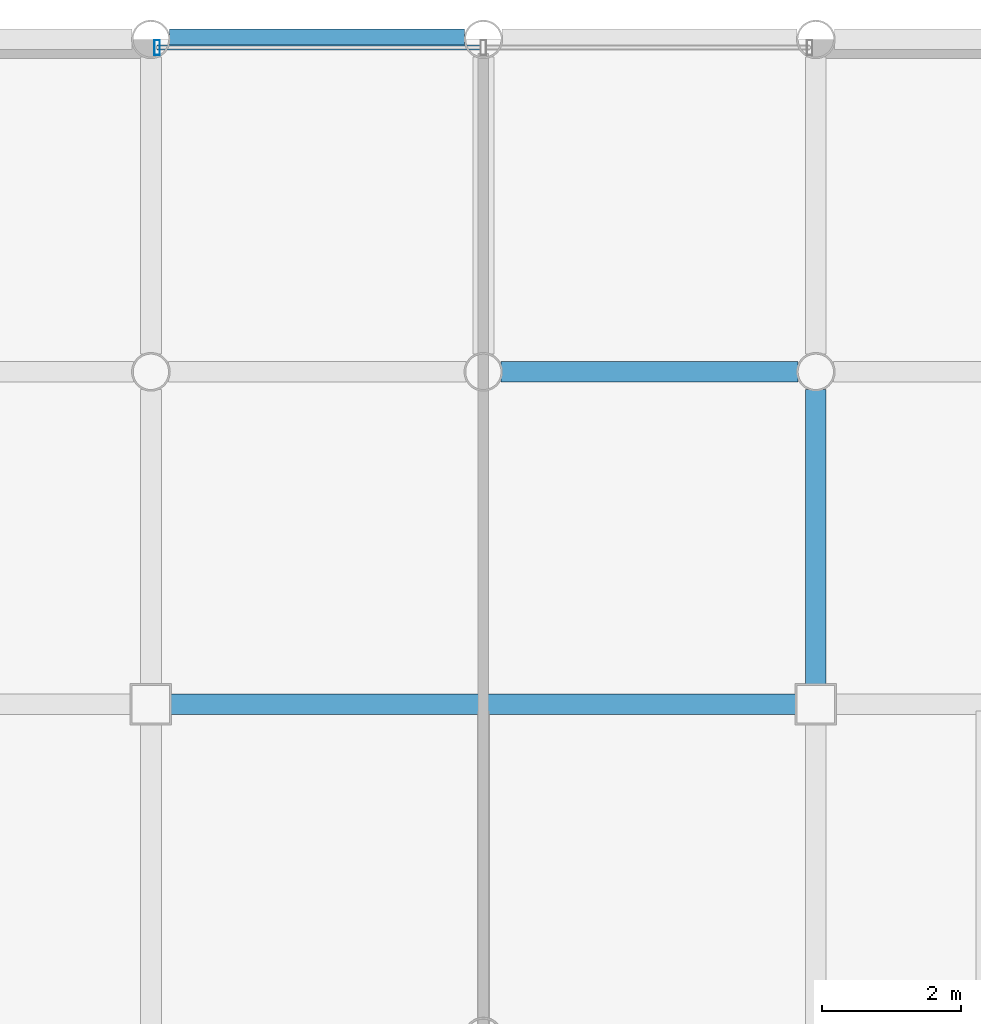
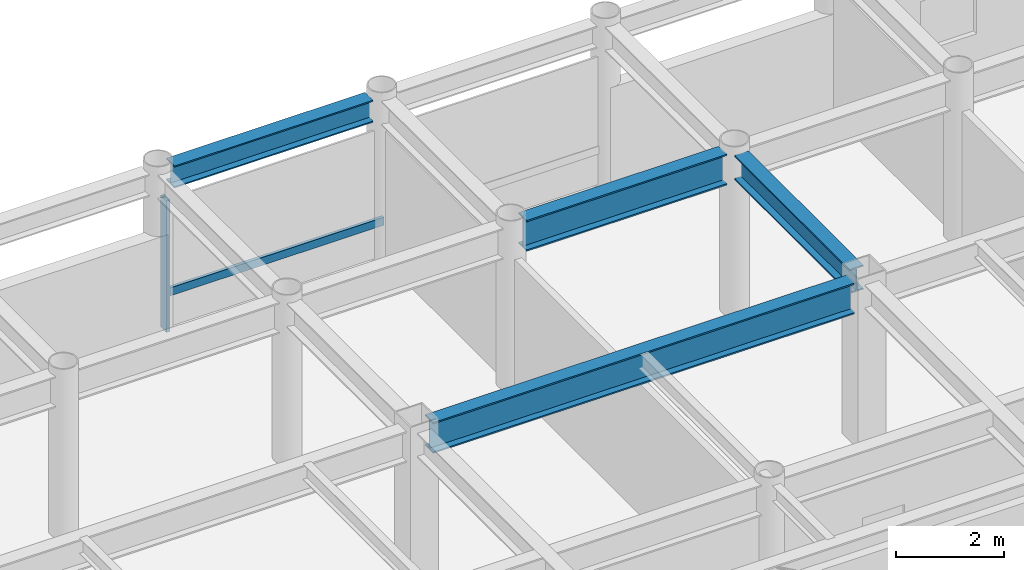
# One storey, part 14 of 22: 4 beams, 2 members, 1 element without a shape of its own.
"""IFC4 building model written with IfcOpenShell, lengths in metres."""

from ifc_helpers import new_model, si_unit, direction, frame, origin, origin_2d, place, context, subcontext, project, spatial, hollow_rectangle, i_section, extrude, material, layer, layer_set, material_profile, profile_set, type_object, element, aggregate, save


model = new_model("IFC4")

# Units and contexts
model_context = context("Model", 3, precision=1e-05, world=origin(), true_north=direction((0.0, 1.0)))
body_context = subcontext(model_context, "Body", "Model", "MODEL_VIEW")
ifc_project = project(units=[si_unit("LENGTHUNIT", "METRE"), si_unit("AREAUNIT", "SQUARE_METRE"), si_unit("VOLUMEUNIT", "CUBIC_METRE"), si_unit("PLANEANGLEUNIT", "RADIAN"), si_unit("MASSUNIT", "GRAM", prefix="KILO")], contexts=[model_context])

# Site, building, storey
site_placement = place(None, origin())
site = spatial("IfcSite", under=ifc_project, at=site_placement, CompositionType="ELEMENT")
building_placement = place(site_placement, origin())
building = spatial("IfcBuilding", under=site, at=building_placement, Name="Kallvorn Hotel Tower", CompositionType="ELEMENT")
storey_placement = place(building_placement, frame((0.0, 0.0, 260.800048828125)))
storey = spatial("IfcBuildingStorey", under=building, at=storey_placement, Name="L65", CompositionType="ELEMENT", Elevation=260.800048828125)

# Beams
ifc_material_1 = material(Name="Structural steel S355JR", Category="steel")
ifc_material_profile_1 = material_profile(ifc_material_1, i_section(OverallWidth=0.300048828125, OverallDepth=0.5, WebThickness=0.014404296875, FlangeThickness=0.028076171875, at=origin_2d()), Name="HE 500 B")
ifc_profile_set_1 = profile_set([ifc_material_profile_1], Name="Structural steel S355JR")
beam_type_1 = type_object("IfcBeamType", Name="BM_HE500B", PredefinedType="SPANDREL", material=ifc_profile_set_1)
beam_1_placement = place(storey_placement, frame((-4.530517578125, 24.0, 3.419921875), z_axis=(1.0, 0.0, 0.0), x_axis=(0.0, 1.0, 0.0)))
element("IfcBeam", 1, at=beam_1_placement, inside=storey, type_object=beam_type_1, Name="L66 Perimeter Spandrel 168", PredefinedType="SPANDREL", context=body_context, shape_type="SweptSolid", body=[
    extrude(i_section(OverallWidth=0.300048828125, OverallDepth=0.5, WebThickness=0.014404296875, FlangeThickness=0.028076171875, at=origin_2d()), origin(), (0.0, 0.0, 1.0), 4.260986328125),
])
ifc_material_2 = material(Name="Structural steel S355JR", Category="steel")
ifc_material_profile_2 = material_profile(ifc_material_2, i_section(OverallWidth=0.300048828125, OverallDepth=0.550048828125, WebThickness=0.014892578125, FlangeThickness=0.029052734375, at=origin_2d()), Name="HE 550 B")
ifc_profile_set_2 = profile_set([ifc_material_profile_2], Name="Structural steel S355JR")
beam_type_2 = type_object("IfcBeamType", Name="BM_HE550B", PredefinedType="SPANDREL", material=ifc_profile_set_2)
beam_2_placement = place(storey_placement, frame((4.800048828125, 14.675048828125, 3.39501953125), z_axis=(0.0, 1.0, 0.0), x_axis=(-1.0, 0.0, 0.0)))
element("IfcBeam", 2, at=beam_2_placement, inside=storey, type_object=beam_type_2, Name="L66 Primary Y-Girder 117", PredefinedType="SPANDREL", context=body_context, shape_type="SweptSolid", body=[
    extrude(i_section(OverallWidth=0.300048828125, OverallDepth=0.550048828125, WebThickness=0.014892578125, FlangeThickness=0.029052734375, at=origin_2d()), origin(), (0.0, 0.0, 1.0), 4.2705078125),
])
ifc_material_3 = material(Name="Structural steel S355JR", Category="steel")
ifc_material_profile_3 = material_profile(ifc_material_3, i_section(OverallWidth=0.300048828125, OverallDepth=0.699951171875, WebThickness=0.01708984375, FlangeThickness=0.031982421875, at=origin_2d()), Name="HE 700 B")
ifc_profile_set_3 = profile_set([ifc_material_profile_3], Name="Structural steel S355JR")
beam_type_3 = type_object("IfcBeamType", Name="BM_HE700B", PredefinedType="BEAM", material=ifc_profile_set_3)
beam_3_placement = place(storey_placement, frame((-4.52490234375, 14.39990234375, 3.320068359375), z_axis=(1.0, 0.0, 0.0), x_axis=(0.0, 1.0, 0.0)))
element("IfcBeam", 3, at=beam_3_placement, inside=storey, type_object=beam_type_3, Name="L66 Primary X-Girder 55", PredefinedType="BEAM", context=body_context, shape_type="SweptSolid", body=[
    extrude(i_section(OverallWidth=0.300048828125, OverallDepth=0.699951171875, WebThickness=0.01708984375, FlangeThickness=0.031982421875, at=origin_2d()), origin(), (0.0, 0.0, 1.0), 9.0498046875),
])
beam_4_placement = place(storey_placement, frame((0.25439453125, 19.199951171875, 3.320068359375), z_axis=(1.0, 0.0, 0.0), x_axis=(0.0, 1.0, 0.0)))
element("IfcBeam", 4, at=beam_4_placement, inside=storey, type_object=beam_type_3, Name="L66 Primary X-Girder 67", PredefinedType="BEAM", context=body_context, shape_type="SweptSolid", body=[
    extrude(i_section(OverallWidth=0.300048828125, OverallDepth=0.699951171875, WebThickness=0.01708984375, FlangeThickness=0.031982421875, at=origin_2d()), origin(), (0.0, 0.0, 1.0), 4.291015625),
])

# Curtain wall, members
ifc_material_4 = material(Name="Thermally broken black-anodised aluminium AA 6063-T6", Category="aluminium")
ifc_layer = layer(ifc_material_4, 0.22998046875)
ifc_layer_set = layer_set([ifc_layer], Name="CW_SYS_5_HOTEL_HIGH")
curtain_wall_type = type_object("IfcCurtainWallType", Name="CW_SYS_5_HOTEL_HIGH", PredefinedType="USERDEFINED", material=ifc_layer_set)
curtain_wall_placement = place(storey_placement, origin())
curtain_wall = element("IfcCurtainWall", 5, at=curtain_wall_placement, inside=storey, type_object=curtain_wall_type, Name="L65 Dark-Glass Curtain Wall CW-L65-NC", ObjectType="UNITISED CURTAIN WALL", PredefinedType="USERDEFINED")
ifc_material_5 = material(Name="Thermally broken black-anodised aluminium AA 6063-T6", Category="aluminium")
ifc_material_profile_4 = material_profile(ifc_material_5, hollow_rectangle(XDim=0.080078125, YDim=0.219970703125, WallThickness=0.0048828125, at=origin_2d()), Name="MUL 220x80")
ifc_profile_set_4 = profile_set([ifc_material_profile_4], Name="Thermally broken black-anodised aluminium AA 6063-T6")
member_type_1 = type_object("IfcMemberType", Name="CW_MULLION_220x80", PredefinedType="MULLION", material=ifc_profile_set_4)
member_1_placement = place(storey_placement, frame((-4.7099609375, 23.8798828125, 0.02001953125), z_axis=(0.0, 0.0, 1.0), x_axis=(1.0, 0.0, 0.0)))
member_1 = element("IfcMember", 6, at=member_1_placement, type_object=member_type_1, Name="CW-L65-NC Mullion 00", PredefinedType="MULLION", context=body_context, shape_type="SweptSolid", body=[
    extrude(hollow_rectangle(XDim=0.080078125, YDim=0.219970703125, WallThickness=0.0048828125, at=origin_2d()), origin(), (0.0, 0.0, 1.0), 2.97998046875),
])
ifc_material_6 = material(Name="Thermally broken black-anodised aluminium AA 6063-T6", Category="aluminium")
ifc_material_profile_5 = material_profile(ifc_material_6, hollow_rectangle(XDim=0.070068359375, YDim=0.179931640625, WallThickness=0.00390625, at=origin_2d()), Name="TRN 180x70")
ifc_profile_set_5 = profile_set([ifc_material_profile_5], Name="Thermally broken black-anodised aluminium AA 6063-T6")
member_type_2 = type_object("IfcMemberType", Name="CW_TRANSOM_180x70", PredefinedType="USERDEFINED", material=ifc_profile_set_5)
member_2_placement = place(storey_placement, frame((-4.7099609375, 23.8798828125, 0.849853515625), z_axis=(1.0, 0.0, 0.0), x_axis=(0.0, 1.0, 0.0)))
member_2 = element("IfcMember", 7, at=member_2_placement, type_object=member_type_2, Name="CW-L65-NC Transom 00M", ObjectType="TRANSOM", PredefinedType="USERDEFINED", context=body_context, shape_type="SweptSolid", body=[
    extrude(hollow_rectangle(XDim=0.070068359375, YDim=0.179931640625, WallThickness=0.00390625, at=origin_2d()), origin(), (0.0, 0.0, 1.0), 4.669921875),
])
aggregate(curtain_wall, [member_1, member_2])

save(model, "model.ifc")
